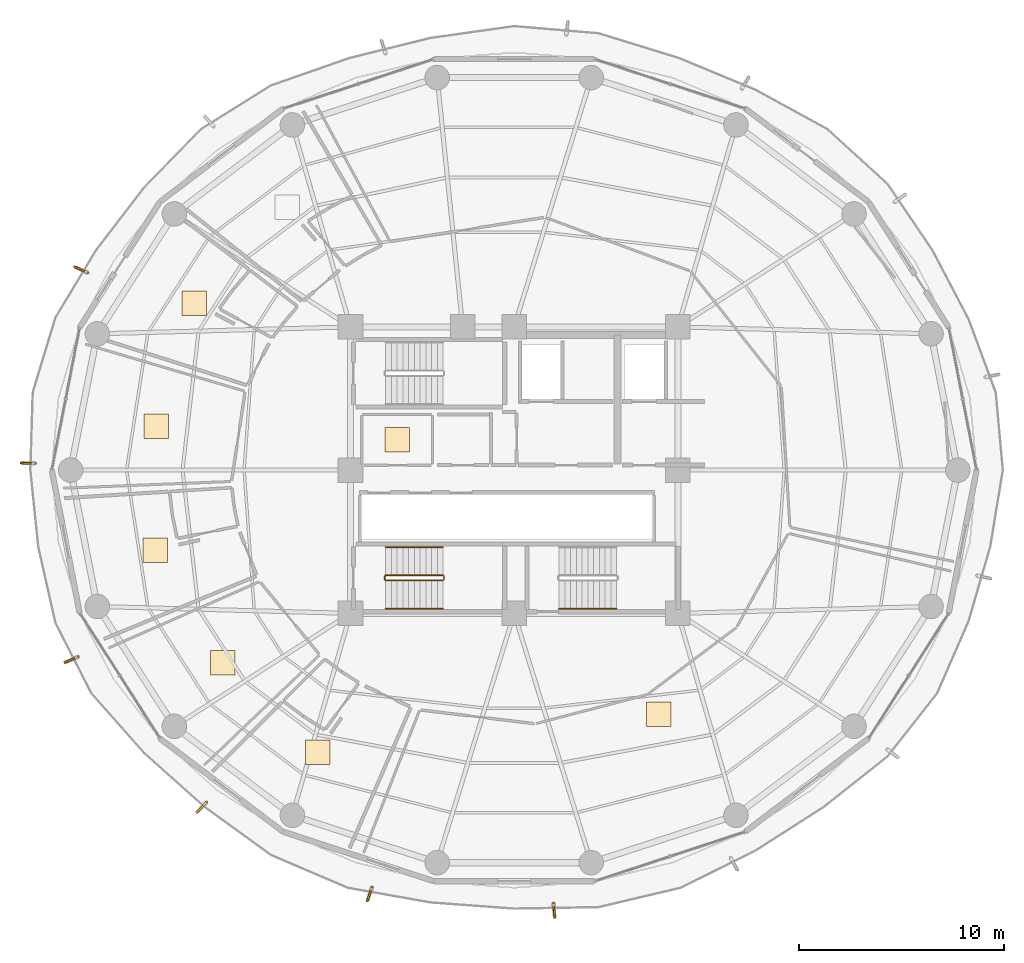
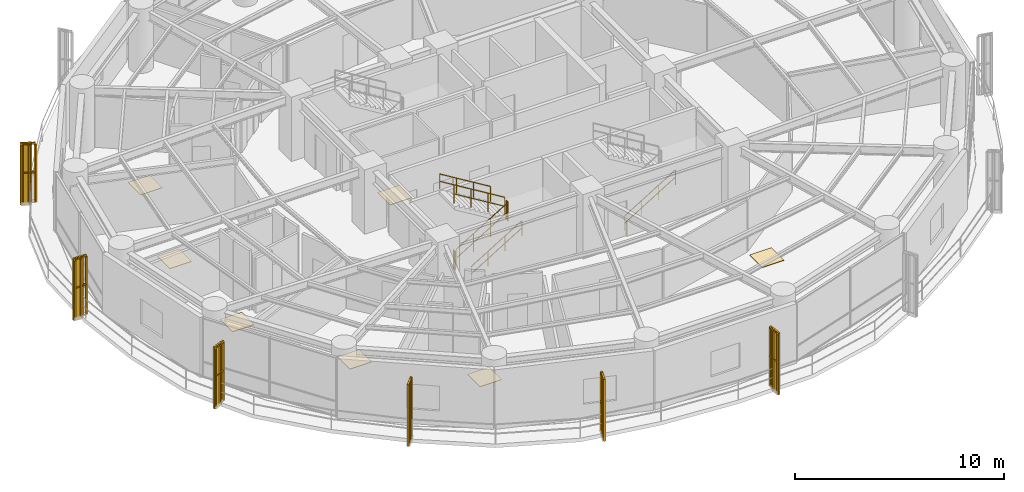
# One storey, part 25 of 27: 13 railings, 7 coverings, 6 shading devices.
"""IFC4 building model written with IfcOpenShell, lengths in metres."""

from ifc_helpers import new_model, si_unit, direction, frame, origin, origin_2d, place, context, subcontext, project, spatial, polyline, rectangle, outline, extrude, source, transform, mapped, material, layer, layer_set, type_object, element, save


model = new_model("IFC4")

# Units and contexts
model_context = context("Model", 3, precision=1e-05, world=origin(), true_north=direction((0.0, 1.0)))
body_context = subcontext(model_context, "Body", "Model", "MODEL_VIEW")
ifc_project = project(units=[si_unit("LENGTHUNIT", "METRE"), si_unit("AREAUNIT", "SQUARE_METRE"), si_unit("VOLUMEUNIT", "CUBIC_METRE"), si_unit("PLANEANGLEUNIT", "RADIAN"), si_unit("MASSUNIT", "GRAM", prefix="KILO")], contexts=[model_context])

# Site, building, storey
site_placement = place(None, origin())
site = spatial("IfcSite", under=ifc_project, at=site_placement, CompositionType="ELEMENT")
building_placement = place(site_placement, origin())
building = spatial("IfcBuilding", under=site, at=building_placement, Name="Kelanora Arch Commons", CompositionType="ELEMENT")
storey_placement = place(building_placement, frame((0.0, 0.0, 146.85009765625)))
storey = spatial("IfcBuildingStorey", under=building, at=storey_placement, Name="L37", CompositionType="ELEMENT", Elevation=146.85009765625)

# Railings
ifc_material_1 = material(Name="Anodised bronze vertical shading fin rib assembly")
railing_type_1 = type_object("IfcRailingType", Name="RAIL-FIN-BRZ", PredefinedType="BALUSTRADE", material=ifc_material_1)
railing_1_placement = place(storey_placement, frame((53.15234375, 67.64453125, -0.02001953125)))
element("IfcRailing", 1, at=railing_1_placement, inside=storey, type_object=railing_type_1, Name="Sweeping Bronze Vertical Fin Blade L37-06", PredefinedType="BALUSTRADE", context=body_context, shape_type="SweptSolid", body=[
    extrude(outline(polyline([(0.06982421875, 0.0), (0.034912109375, 0.060546875), (-0.034912109375, 0.060546875), (-0.06982421875, 0.0), (-0.034912109375, -0.060546875), (0.034912109375, -0.060546875), (0.06982421875, 0.0)])), frame((0.0, 0.0, 3.419921875), z_axis=(-0.907732273324, 0.419549901639, 0.0), x_axis=(-0.419549901639, -0.907732273324, 0.0)), (0.0, 0.0, 1.0), 0.629638671875),
    extrude(outline(polyline([(0.06982421875, 0.0), (0.034912109375, 0.060546875), (-0.034912109375, 0.060546875), (-0.06982421875, 0.0), (-0.034912109375, -0.060546875), (0.034912109375, -0.060546875), (0.06982421875, 0.0)])), frame((0.0, 0.0, 1.7451171875), z_axis=(-0.907732273324, 0.419549901639, 0.0), x_axis=(-0.419549901639, -0.907732273324, 0.0)), (0.0, 0.0, 1.0), 0.629638671875),
    extrude(outline(polyline([(0.080078125, 0.0), (0.0400390625, 0.0693359375), (-0.0400390625, 0.0693359375), (-0.080078125, 0.0), (-0.0400390625, -0.0693359375), (0.0400390625, -0.0693359375), (0.080078125, 0.0)])), origin(), (0.0, 0.0, 1.0), 3.35009765625),
    extrude(outline(polyline([(0.080078125, 0.0), (0.0400390625, 0.0693359375), (-0.0400390625, 0.0693359375), (-0.080078125, 0.0), (-0.0400390625, -0.0693359375), (0.0400390625, -0.0693359375), (0.080078125, 0.0)])), frame((-0.28564453125, 0.132080078125, 0.0)), (0.0, 0.0, 1.0), 3.35009765625),
    extrude(outline(polyline([(0.080078125, 0.0), (0.0400390625, 0.0693359375), (-0.0400390625, 0.0693359375), (-0.080078125, 0.0), (-0.0400390625, -0.0693359375), (0.0400390625, -0.0693359375), (0.080078125, 0.0)])), frame((-0.571533203125, 0.26416015625, 0.0)), (0.0, 0.0, 1.0), 3.35009765625),
])
railing_2_placement = place(storey_placement, frame((50.58349609375, 58.337646484375, -0.02001953125)))
element("IfcRailing", 2, at=railing_2_placement, inside=storey, type_object=railing_type_1, Name="Sweeping Bronze Vertical Fin Blade L37-07", PredefinedType="BALUSTRADE", context=body_context, shape_type="SweptSolid", body=[
    extrude(outline(polyline([(0.06982421875, 0.0), (0.034912109375, 0.060546875), (-0.034912109375, 0.060546875), (-0.06982421875, 0.0), (-0.034912109375, -0.060546875), (0.034912109375, -0.060546875), (0.06982421875, 0.0)])), frame((0.0, 0.0, 3.419921875), z_axis=(-0.999897022928, 0.014350733068, 0.0), x_axis=(-0.014350733068, -0.999897022928, 0.0)), (0.0, 0.0, 1.0), 0.62939453125),
    extrude(outline(polyline([(0.06982421875, 0.0), (0.034912109375, 0.060546875), (-0.034912109375, 0.060546875), (-0.06982421875, 0.0), (-0.034912109375, -0.060546875), (0.034912109375, -0.060546875), (0.06982421875, 0.0)])), frame((0.0, 0.0, 1.7451171875), z_axis=(-0.999897022928, 0.014350733068, 0.0), x_axis=(-0.014350733068, -0.999897022928, 0.0)), (0.0, 0.0, 1.0), 0.62939453125),
    extrude(outline(polyline([(0.080078125, 0.0), (0.0400390625, 0.0693359375), (-0.0400390625, 0.0693359375), (-0.080078125, 0.0), (-0.0400390625, -0.0693359375), (0.0400390625, -0.0693359375), (0.080078125, 0.0)])), origin(), (0.0, 0.0, 1.0), 3.35009765625),
    extrude(outline(polyline([(0.080078125, 0.0), (0.0400390625, 0.0693359375), (-0.0400390625, 0.0693359375), (-0.080078125, 0.0), (-0.0400390625, -0.0693359375), (0.0400390625, -0.0693359375), (0.080078125, 0.0)])), frame((-0.314697265625, 0.00439453125, 0.0)), (0.0, 0.0, 1.0), 3.35009765625),
    extrude(outline(polyline([(0.080078125, 0.0), (0.0400390625, 0.0693359375), (-0.0400390625, 0.0693359375), (-0.080078125, 0.0), (-0.0400390625, -0.0693359375), (0.0400390625, -0.0693359375), (0.080078125, 0.0)])), frame((-0.62939453125, 0.009033203125, 0.0)), (0.0, 0.0, 1.0), 3.35009765625),
])
railing_3_placement = place(storey_placement, frame((52.676025390625, 48.8720703125, -0.02001953125)))
element("IfcRailing", 3, at=railing_3_placement, inside=storey, type_object=railing_type_1, Name="Sweeping Bronze Vertical Fin Blade L37-08", PredefinedType="BALUSTRADE", context=body_context, shape_type="SweptSolid", body=[
    extrude(outline(polyline([(0.06982421875, 0.0), (0.034912109375, 0.060546875), (-0.034912109375, 0.060546875), (-0.06982421875, 0.0), (-0.034912109375, -0.060546875), (0.034912109375, -0.060546875), (0.06982421875, 0.0)])), frame((0.0, 0.0, 3.419921875), z_axis=(-0.919305393356, -0.393544906899, 0.0), x_axis=(0.393544906899, -0.919305393356, 0.0)), (0.0, 0.0, 1.0), 0.629638671875),
    extrude(outline(polyline([(0.06982421875, 0.0), (0.034912109375, 0.060546875), (-0.034912109375, 0.060546875), (-0.06982421875, 0.0), (-0.034912109375, -0.060546875), (0.034912109375, -0.060546875), (0.06982421875, 0.0)])), frame((0.0, 0.0, 1.7451171875), z_axis=(-0.919305393356, -0.393544906899, 0.0), x_axis=(0.393544906899, -0.919305393356, 0.0)), (0.0, 0.0, 1.0), 0.629638671875),
    extrude(outline(polyline([(0.080078125, 0.0), (0.0400390625, 0.0693359375), (-0.0400390625, 0.0693359375), (-0.080078125, 0.0), (-0.0400390625, -0.0693359375), (0.0400390625, -0.0693359375), (0.080078125, 0.0)])), origin(), (0.0, 0.0, 1.0), 3.35009765625),
    extrude(outline(polyline([(0.080078125, 0.0), (0.0400390625, 0.0693359375), (-0.0400390625, 0.0693359375), (-0.080078125, 0.0), (-0.0400390625, -0.0693359375), (0.0400390625, -0.0693359375), (0.080078125, 0.0)])), frame((-0.28955078125, -0.1240234375, 0.0)), (0.0, 0.0, 1.0), 3.35009765625),
    extrude(outline(polyline([(0.080078125, 0.0), (0.0400390625, 0.0693359375), (-0.0400390625, 0.0693359375), (-0.080078125, 0.0), (-0.0400390625, -0.0693359375), (0.0400390625, -0.0693359375), (0.080078125, 0.0)])), frame((-0.578857421875, -0.247802734375, 0.0)), (0.0, 0.0, 1.0), 3.35009765625),
])
railing_4_placement = place(storey_placement, frame((58.95166015625, 41.76416015625, -0.02001953125)))
element("IfcRailing", 4, at=railing_4_placement, inside=storey, type_object=railing_type_1, Name="Sweeping Bronze Vertical Fin Blade L37-09", PredefinedType="BALUSTRADE", context=body_context, shape_type="SweptSolid", body=[
    extrude(outline(polyline([(0.06982421875, 0.0), (0.034912109375, 0.060546875), (-0.034912109375, 0.060546875), (-0.06982421875, 0.0), (-0.034912109375, -0.060546875), (0.034912109375, -0.060546875), (0.06982421875, 0.0)])), frame((0.0, 0.0, 3.419921875), z_axis=(-0.679647662513, -0.73353872075, 0.0), x_axis=(0.73353872075, -0.679647662513, 0.0)), (0.0, 0.0, 1.0), 0.629638671875),
    extrude(outline(polyline([(0.06982421875, 0.0), (0.034912109375, 0.060546875), (-0.034912109375, 0.060546875), (-0.06982421875, 0.0), (-0.034912109375, -0.060546875), (0.034912109375, -0.060546875), (0.06982421875, 0.0)])), frame((0.0, 0.0, 1.7451171875), z_axis=(-0.679647662513, -0.73353872075, 0.0), x_axis=(0.73353872075, -0.679647662513, 0.0)), (0.0, 0.0, 1.0), 0.629638671875),
    extrude(outline(polyline([(0.080078125, 0.0), (0.0400390625, 0.0693359375), (-0.0400390625, 0.0693359375), (-0.080078125, 0.0), (-0.0400390625, -0.0693359375), (0.0400390625, -0.0693359375), (0.080078125, 0.0)])), origin(), (0.0, 0.0, 1.0), 3.35009765625),
    extrude(outline(polyline([(0.080078125, 0.0), (0.0400390625, 0.0693359375), (-0.0400390625, 0.0693359375), (-0.080078125, 0.0), (-0.0400390625, -0.0693359375), (0.0400390625, -0.0693359375), (0.080078125, 0.0)])), frame((-0.2138671875, -0.23095703125, 0.0)), (0.0, 0.0, 1.0), 3.35009765625),
    extrude(outline(polyline([(0.080078125, 0.0), (0.0400390625, 0.0693359375), (-0.0400390625, 0.0693359375), (-0.080078125, 0.0), (-0.0400390625, -0.0693359375), (0.0400390625, -0.0693359375), (0.080078125, 0.0)])), frame((-0.427978515625, -0.4619140625, 0.0)), (0.0, 0.0, 1.0), 3.35009765625),
])
railing_5_placement = place(storey_placement, frame((67.046875, 37.60546875, -0.02001953125)))
element("IfcRailing", 5, at=railing_5_placement, inside=storey, type_object=railing_type_1, Name="Sweeping Bronze Vertical Fin Blade L37-10", PredefinedType="BALUSTRADE", context=body_context, shape_type="SweptSolid", body=[
    extrude(outline(polyline([(0.06982421875, 0.0), (0.034912109375, 0.060546875), (-0.034912109375, 0.060546875), (-0.06982421875, 0.0), (-0.034912109375, -0.060546875), (0.034912109375, -0.060546875), (0.06982421875, 0.0)])), frame((0.0, 0.0, 3.419921875), z_axis=(-0.322965998891, -0.946410568179, 0.0), x_axis=(0.946410568179, -0.322965998891, 0.0)), (0.0, 0.0, 1.0), 0.629638671875),
    extrude(outline(polyline([(0.06982421875, 0.0), (0.034912109375, 0.060546875), (-0.034912109375, 0.060546875), (-0.06982421875, 0.0), (-0.034912109375, -0.060546875), (0.034912109375, -0.060546875), (0.06982421875, 0.0)])), frame((0.0, 0.0, 1.7451171875), z_axis=(-0.322965998891, -0.946410568179, 0.0), x_axis=(0.946410568179, -0.322965998891, 0.0)), (0.0, 0.0, 1.0), 0.629638671875),
    extrude(outline(polyline([(0.080078125, 0.0), (0.0400390625, 0.0693359375), (-0.0400390625, 0.0693359375), (-0.080078125, 0.0), (-0.0400390625, -0.0693359375), (0.0400390625, -0.0693359375), (0.080078125, 0.0)])), origin(), (0.0, 0.0, 1.0), 3.35009765625),
    extrude(outline(polyline([(0.080078125, 0.0), (0.0400390625, 0.0693359375), (-0.0400390625, 0.0693359375), (-0.080078125, 0.0), (-0.0400390625, -0.0693359375), (0.0400390625, -0.0693359375), (0.080078125, 0.0)])), frame((-0.1015625, -0.2978515625, 0.0)), (0.0, 0.0, 1.0), 3.35009765625),
    extrude(outline(polyline([(0.080078125, 0.0), (0.0400390625, 0.0693359375), (-0.0400390625, 0.0693359375), (-0.080078125, 0.0), (-0.0400390625, -0.0693359375), (0.0400390625, -0.0693359375), (0.080078125, 0.0)])), frame((-0.203369140625, -0.595947265625, 0.0)), (0.0, 0.0, 1.0), 3.35009765625),
])
railing_6_placement = place(storey_placement, frame((75.9169921875, 36.82861328125, -0.02001953125)))
element("IfcRailing", 6, at=railing_6_placement, inside=storey, type_object=railing_type_1, Name="Sweeping Bronze Vertical Fin Blade L37-11", PredefinedType="BALUSTRADE", context=body_context, shape_type="SweptSolid", body=[
    extrude(outline(polyline([(0.06982421875, 0.0), (0.034912109375, 0.060546875), (-0.034912109375, 0.060546875), (-0.06982421875, 0.0), (-0.034912109375, -0.060546875), (0.034912109375, -0.060546875), (0.06982421875, 0.0)])), frame((0.0, 0.0, 3.419921875), z_axis=(0.090326023443, -0.995912249894, 0.0), x_axis=(0.995912249894, 0.090326023443, 0.0)), (0.0, 0.0, 1.0), 0.6298828125),
    extrude(outline(polyline([(0.06982421875, 0.0), (0.034912109375, 0.060546875), (-0.034912109375, 0.060546875), (-0.06982421875, 0.0), (-0.034912109375, -0.060546875), (0.034912109375, -0.060546875), (0.06982421875, 0.0)])), frame((0.0, 0.0, 1.7451171875), z_axis=(0.090326023443, -0.995912249894, 0.0), x_axis=(0.995912249894, 0.090326023443, 0.0)), (0.0, 0.0, 1.0), 0.6298828125),
    extrude(outline(polyline([(0.080078125, 0.0), (0.0400390625, 0.0693359375), (-0.0400390625, 0.0693359375), (-0.080078125, 0.0), (-0.0400390625, -0.0693359375), (0.0400390625, -0.0693359375), (0.080078125, 0.0)])), origin(), (0.0, 0.0, 1.0), 3.35009765625),
    extrude(outline(polyline([(0.080078125, 0.0), (0.0400390625, 0.0693359375), (-0.0400390625, 0.0693359375), (-0.080078125, 0.0), (-0.0400390625, -0.0693359375), (0.0400390625, -0.0693359375), (0.080078125, 0.0)])), frame((0.0283203125, -0.3134765625, 0.0)), (0.0, 0.0, 1.0), 3.35009765625),
    extrude(outline(polyline([(0.080078125, 0.0), (0.0400390625, 0.0693359375), (-0.0400390625, 0.0693359375), (-0.080078125, 0.0), (-0.0400390625, -0.0693359375), (0.0400390625, -0.0693359375), (0.080078125, 0.0)])), frame((0.056884765625, -0.627197265625, 0.0)), (0.0, 0.0, 1.0), 3.35009765625),
])
ifc_material_2 = material(Name="Painted steel stair well guard", Category="steel")
railing_type_2 = type_object("IfcRailingType", Name="RAIL-STAIR-GRD", PredefinedType="GUARDRAIL", material=ifc_material_2)
railing_7_placement = place(storey_placement, frame((67.719970703125, 52.610107421875, 0.17041015625)))
element("IfcRailing", 7, at=railing_7_placement, inside=storey, type_object=railing_type_2, Name="L37 ST-T3 stair guard 1", PredefinedType="GUARDRAIL", context=body_context, shape_type="SweptSolid", body=[
    extrude(outline(polyline([(0.02392578125, 0.0), (0.011962890625, 0.020751953125), (-0.011962890625, 0.020751953125), (-0.02392578125, 0.0), (-0.011962890625, -0.020751953125), (0.011962890625, -0.020751953125), (0.02392578125, 0.0)])), frame((0.0, 0.0, 1.076171875), z_axis=(0.854169791009, 0.0, 0.51999420009), x_axis=(0.0, 1.0, 0.0)), (0.0, 0.0, 1.0), 3.278076171875),
    extrude(outline(polyline([(0.02392578125, 0.0), (0.011962890625, 0.020751953125), (-0.011962890625, 0.020751953125), (-0.02392578125, 0.0), (-0.011962890625, -0.020751953125), (0.011962890625, -0.020751953125), (0.02392578125, 0.0)])), frame((0.0, 0.0, 0.550048828125), z_axis=(0.854169791009, 0.0, 0.51999420009), x_axis=(0.0, 1.0, 0.0)), (0.0, 0.0, 1.0), 3.278076171875),
    extrude(outline(polyline([(0.02099609375, 0.0), (0.010498046875, 0.01806640625), (-0.010498046875, 0.01806640625), (-0.02099609375, 0.0), (-0.010498046875, -0.01806640625), (0.010498046875, -0.01806640625), (0.02099609375, 0.0)])), origin(), (0.0, 0.0, 1.0), 1.052001953125),
    extrude(outline(polyline([(0.02099609375, 0.0), (0.010498046875, 0.01806640625), (-0.010498046875, 0.01806640625), (-0.02099609375, 0.0), (-0.010498046875, -0.01806640625), (0.010498046875, -0.01806640625), (0.02099609375, 0.0)])), frame((0.933349609375, 0.0, 0.568115234375)), (0.0, 0.0, 1.0), 1.052001953125),
    extrude(outline(polyline([(0.02099609375, 0.0), (0.010498046875, 0.01806640625), (-0.010498046875, 0.01806640625), (-0.02099609375, 0.0), (-0.010498046875, -0.01806640625), (0.010498046875, -0.01806640625), (0.02099609375, 0.0)])), frame((1.86669921875, 0.0, 1.136474609375)), (0.0, 0.0, 1.0), 1.052001953125),
    extrude(outline(polyline([(0.02099609375, 0.0), (0.010498046875, 0.01806640625), (-0.010498046875, 0.01806640625), (-0.02099609375, 0.0), (-0.010498046875, -0.01806640625), (0.010498046875, -0.01806640625), (0.02099609375, 0.0)])), frame((2.800048828125, 0.0, 1.70458984375)), (0.0, 0.0, 1.0), 1.052001953125),
])
railing_8_placement = place(storey_placement, frame((70.570068359375, 52.659912109375, 1.875)))
element("IfcRailing", 8, at=railing_8_placement, inside=storey, type_object=railing_type_2, Name="L37 ST-T3 stair guard 2", PredefinedType="GUARDRAIL", context=body_context, shape_type="SweptSolid", body=[
    extrude(outline(polyline([(0.02392578125, 0.0), (0.011962890625, 0.020751953125), (-0.011962890625, 0.020751953125), (-0.02392578125, 0.0), (-0.011962890625, -0.020751953125), (0.011962890625, -0.020751953125), (0.02392578125, 0.0)])), frame((0.0, 0.0, 1.076171875), z_axis=(0.0, 1.0, 0.0), x_axis=(-1.0, 0.0, 0.0)), (0.0, 0.0, 1.0), 0.150146484375),
    extrude(outline(polyline([(0.02392578125, 0.0), (0.011962890625, 0.020751953125), (-0.011962890625, 0.020751953125), (-0.02392578125, 0.0), (-0.011962890625, -0.020751953125), (0.011962890625, -0.020751953125), (0.02392578125, 0.0)])), frame((0.0, 0.0, 0.550048828125), z_axis=(0.0, 1.0, 0.0), x_axis=(-1.0, 0.0, 0.0)), (0.0, 0.0, 1.0), 0.150146484375),
    extrude(outline(polyline([(0.02099609375, 0.0), (0.010498046875, 0.01806640625), (-0.010498046875, 0.01806640625), (-0.02099609375, 0.0), (-0.010498046875, -0.01806640625), (0.010498046875, -0.01806640625), (0.02099609375, 0.0)])), origin(), (0.0, 0.0, 1.0), 1.052001953125),
    extrude(outline(polyline([(0.02099609375, 0.0), (0.010498046875, 0.01806640625), (-0.010498046875, 0.01806640625), (-0.02099609375, 0.0), (-0.010498046875, -0.01806640625), (0.010498046875, -0.01806640625), (0.02099609375, 0.0)])), frame((0.0, 0.150146484375, 0.0)), (0.0, 0.0, 1.0), 1.052001953125),
])
railing_9_placement = place(storey_placement, frame((70.52001953125, 52.860107421875, 2.04541015625)))
element("IfcRailing", 9, at=railing_9_placement, inside=storey, type_object=railing_type_2, Name="L37 ST-T3 stair guard 3", PredefinedType="GUARDRAIL", context=body_context, shape_type="SweptSolid", body=[
    extrude(outline(polyline([(0.02392578125, 0.0), (0.011962890625, 0.020751953125), (-0.011962890625, 0.020751953125), (-0.02392578125, 0.0), (-0.011962890625, -0.020751953125), (0.011962890625, -0.020751953125), (0.02392578125, 0.0)])), frame((0.0, 0.0, 1.076171875), z_axis=(-0.854169791009, 0.0, 0.51999420009), x_axis=(0.0, -1.0, 0.0)), (0.0, 0.0, 1.0), 3.278076171875),
    extrude(outline(polyline([(0.02392578125, 0.0), (0.011962890625, 0.020751953125), (-0.011962890625, 0.020751953125), (-0.02392578125, 0.0), (-0.011962890625, -0.020751953125), (0.011962890625, -0.020751953125), (0.02392578125, 0.0)])), frame((0.0, 0.0, 0.550048828125), z_axis=(-0.854169791009, 0.0, 0.51999420009), x_axis=(0.0, -1.0, 0.0)), (0.0, 0.0, 1.0), 3.278076171875),
    extrude(outline(polyline([(0.02099609375, 0.0), (0.010498046875, 0.01806640625), (-0.010498046875, 0.01806640625), (-0.02099609375, 0.0), (-0.010498046875, -0.01806640625), (0.010498046875, -0.01806640625), (0.02099609375, 0.0)])), origin(), (0.0, 0.0, 1.0), 1.052001953125),
    extrude(outline(polyline([(0.02099609375, 0.0), (0.010498046875, 0.01806640625), (-0.010498046875, 0.01806640625), (-0.02099609375, 0.0), (-0.010498046875, -0.01806640625), (0.010498046875, -0.01806640625), (0.02099609375, 0.0)])), frame((-0.933349609375, 0.0, 0.568115234375)), (0.0, 0.0, 1.0), 1.052001953125),
    extrude(outline(polyline([(0.02099609375, 0.0), (0.010498046875, 0.01806640625), (-0.010498046875, 0.01806640625), (-0.02099609375, 0.0), (-0.010498046875, -0.01806640625), (0.010498046875, -0.01806640625), (0.02099609375, 0.0)])), frame((-1.86669921875, 0.0, 1.136474609375)), (0.0, 0.0, 1.0), 1.052001953125),
    extrude(outline(polyline([(0.02099609375, 0.0), (0.010498046875, 0.01806640625), (-0.010498046875, 0.01806640625), (-0.02099609375, 0.0), (-0.010498046875, -0.01806640625), (0.010498046875, -0.01806640625), (0.02099609375, 0.0)])), frame((-2.800048828125, 0.0, 1.70458984375)), (0.0, 0.0, 1.0), 1.052001953125),
])
railing_10_placement = place(storey_placement, frame((67.669921875, 52.659912109375, 0.0)))
element("IfcRailing", 10, at=railing_10_placement, inside=storey, type_object=railing_type_2, Name="L37 ST-T3 stair guard 4", PredefinedType="GUARDRAIL", context=body_context, shape_type="SweptSolid", body=[
    extrude(outline(polyline([(0.02392578125, 0.0), (0.011962890625, 0.020751953125), (-0.011962890625, 0.020751953125), (-0.02392578125, 0.0), (-0.011962890625, -0.020751953125), (0.011962890625, -0.020751953125), (0.02392578125, 0.0)])), frame((0.0, 0.0, 1.076171875), z_axis=(0.0, 1.0, 0.0), x_axis=(-1.0, 0.0, 0.0)), (0.0, 0.0, 1.0), 0.150146484375),
    extrude(outline(polyline([(0.02392578125, 0.0), (0.011962890625, 0.020751953125), (-0.011962890625, 0.020751953125), (-0.02392578125, 0.0), (-0.011962890625, -0.020751953125), (0.011962890625, -0.020751953125), (0.02392578125, 0.0)])), frame((0.0, 0.0, 0.550048828125), z_axis=(0.0, 1.0, 0.0), x_axis=(-1.0, 0.0, 0.0)), (0.0, 0.0, 1.0), 0.150146484375),
    extrude(outline(polyline([(0.02099609375, 0.0), (0.010498046875, 0.01806640625), (-0.010498046875, 0.01806640625), (-0.02099609375, 0.0), (-0.010498046875, -0.01806640625), (0.010498046875, -0.01806640625), (0.02099609375, 0.0)])), origin(), (0.0, 0.0, 1.0), 1.052001953125),
    extrude(outline(polyline([(0.02099609375, 0.0), (0.010498046875, 0.01806640625), (-0.010498046875, 0.01806640625), (-0.02099609375, 0.0), (-0.010498046875, -0.01806640625), (0.010498046875, -0.01806640625), (0.02099609375, 0.0)])), frame((0.0, 0.150146484375, 0.0)), (0.0, 0.0, 1.0), 1.052001953125),
])
ifc_material_3 = material(Name="Brushed stainless steel stair handrail", Category="steel")
railing_type_3 = type_object("IfcRailingType", Name="RAIL-STAIR-HND", PredefinedType="HANDRAIL", material=ifc_material_3)
railing_11_placement = place(storey_placement, frame((76.199951171875, 51.22998046875, 0.17041015625)))
element("IfcRailing", 11, at=railing_11_placement, inside=storey, type_object=railing_type_3, Name="L37 ST-T2 stair handrail 1", PredefinedType="HANDRAIL", context=body_context, shape_type="SweptSolid", body=[
    extrude(outline(polyline([(0.02392578125, 0.0), (0.011962890625, 0.020751953125), (-0.011962890625, 0.020751953125), (-0.02392578125, 0.0), (-0.011962890625, -0.020751953125), (0.011962890625, -0.020751953125), (0.02392578125, 0.0)])), frame((0.0, 0.0, 0.8759765625), z_axis=(0.854169791009, 0.0, 0.51999420009), x_axis=(0.0, 1.0, 0.0)), (0.0, 0.0, 1.0), 3.278076171875),
    extrude(outline(polyline([(0.02392578125, 0.0), (0.011962890625, 0.020751953125), (-0.011962890625, 0.020751953125), (-0.02392578125, 0.0), (-0.011962890625, -0.020751953125), (0.011962890625, -0.020751953125), (0.02392578125, 0.0)])), frame((0.0, 0.0, 0.449951171875), z_axis=(0.854169791009, 0.0, 0.51999420009), x_axis=(0.0, 1.0, 0.0)), (0.0, 0.0, 1.0), 3.278076171875),
    extrude(outline(polyline([(0.02099609375, 0.0), (0.010498046875, 0.01806640625), (-0.010498046875, 0.01806640625), (-0.02099609375, 0.0), (-0.010498046875, -0.01806640625), (0.010498046875, -0.01806640625), (0.02099609375, 0.0)])), origin(), (0.0, 0.0, 1.0), 0.851806640625),
    extrude(outline(polyline([(0.02099609375, 0.0), (0.010498046875, 0.01806640625), (-0.010498046875, 0.01806640625), (-0.02099609375, 0.0), (-0.010498046875, -0.01806640625), (0.010498046875, -0.01806640625), (0.02099609375, 0.0)])), frame((0.933349609375, 0.0, 0.568115234375)), (0.0, 0.0, 1.0), 0.851806640625),
    extrude(outline(polyline([(0.02099609375, 0.0), (0.010498046875, 0.01806640625), (-0.010498046875, 0.01806640625), (-0.02099609375, 0.0), (-0.010498046875, -0.01806640625), (0.010498046875, -0.01806640625), (0.02099609375, 0.0)])), frame((1.86669921875, 0.0, 1.136474609375)), (0.0, 0.0, 1.0), 0.851806640625),
    extrude(outline(polyline([(0.02099609375, 0.0), (0.010498046875, 0.01806640625), (-0.010498046875, 0.01806640625), (-0.02099609375, 0.0), (-0.010498046875, -0.01806640625), (0.010498046875, -0.01806640625), (0.02099609375, 0.0)])), frame((2.800048828125, 0.0, 1.70458984375)), (0.0, 0.0, 1.0), 0.851806640625),
])
railing_12_placement = place(storey_placement, frame((67.719970703125, 51.22998046875, 0.17041015625)))
element("IfcRailing", 12, at=railing_12_placement, inside=storey, type_object=railing_type_3, Name="L37 ST-T3 stair handrail 1", PredefinedType="HANDRAIL", context=body_context, shape_type="SweptSolid", body=[
    extrude(outline(polyline([(0.02392578125, 0.0), (0.011962890625, 0.020751953125), (-0.011962890625, 0.020751953125), (-0.02392578125, 0.0), (-0.011962890625, -0.020751953125), (0.011962890625, -0.020751953125), (0.02392578125, 0.0)])), frame((0.0, 0.0, 0.8759765625), z_axis=(0.854169791009, 0.0, 0.51999420009), x_axis=(0.0, 1.0, 0.0)), (0.0, 0.0, 1.0), 3.278076171875),
    extrude(outline(polyline([(0.02392578125, 0.0), (0.011962890625, 0.020751953125), (-0.011962890625, 0.020751953125), (-0.02392578125, 0.0), (-0.011962890625, -0.020751953125), (0.011962890625, -0.020751953125), (0.02392578125, 0.0)])), frame((0.0, 0.0, 0.449951171875), z_axis=(0.854169791009, 0.0, 0.51999420009), x_axis=(0.0, 1.0, 0.0)), (0.0, 0.0, 1.0), 3.278076171875),
    extrude(outline(polyline([(0.02099609375, 0.0), (0.010498046875, 0.01806640625), (-0.010498046875, 0.01806640625), (-0.02099609375, 0.0), (-0.010498046875, -0.01806640625), (0.010498046875, -0.01806640625), (0.02099609375, 0.0)])), origin(), (0.0, 0.0, 1.0), 0.851806640625),
    extrude(outline(polyline([(0.02099609375, 0.0), (0.010498046875, 0.01806640625), (-0.010498046875, 0.01806640625), (-0.02099609375, 0.0), (-0.010498046875, -0.01806640625), (0.010498046875, -0.01806640625), (0.02099609375, 0.0)])), frame((0.933349609375, 0.0, 0.568115234375)), (0.0, 0.0, 1.0), 0.851806640625),
    extrude(outline(polyline([(0.02099609375, 0.0), (0.010498046875, 0.01806640625), (-0.010498046875, 0.01806640625), (-0.02099609375, 0.0), (-0.010498046875, -0.01806640625), (0.010498046875, -0.01806640625), (0.02099609375, 0.0)])), frame((1.86669921875, 0.0, 1.136474609375)), (0.0, 0.0, 1.0), 0.851806640625),
    extrude(outline(polyline([(0.02099609375, 0.0), (0.010498046875, 0.01806640625), (-0.010498046875, 0.01806640625), (-0.02099609375, 0.0), (-0.010498046875, -0.01806640625), (0.010498046875, -0.01806640625), (0.02099609375, 0.0)])), frame((2.800048828125, 0.0, 1.70458984375)), (0.0, 0.0, 1.0), 0.851806640625),
])
railing_13_placement = place(storey_placement, frame((70.52001953125, 54.239990234375, 2.04541015625)))
element("IfcRailing", 13, at=railing_13_placement, inside=storey, type_object=railing_type_3, Name="L37 ST-T3 stair handrail 2", PredefinedType="HANDRAIL", context=body_context, shape_type="SweptSolid", body=[
    extrude(outline(polyline([(0.02392578125, 0.0), (0.011962890625, 0.020751953125), (-0.011962890625, 0.020751953125), (-0.02392578125, 0.0), (-0.011962890625, -0.020751953125), (0.011962890625, -0.020751953125), (0.02392578125, 0.0)])), frame((0.0, 0.0, 0.8759765625), z_axis=(-0.854169791009, 0.0, 0.51999420009), x_axis=(0.0, -1.0, 0.0)), (0.0, 0.0, 1.0), 3.278076171875),
    extrude(outline(polyline([(0.02392578125, 0.0), (0.011962890625, 0.020751953125), (-0.011962890625, 0.020751953125), (-0.02392578125, 0.0), (-0.011962890625, -0.020751953125), (0.011962890625, -0.020751953125), (0.02392578125, 0.0)])), frame((0.0, 0.0, 0.449951171875), z_axis=(-0.854169791009, 0.0, 0.51999420009), x_axis=(0.0, -1.0, 0.0)), (0.0, 0.0, 1.0), 3.278076171875),
    extrude(outline(polyline([(0.02099609375, 0.0), (0.010498046875, 0.01806640625), (-0.010498046875, 0.01806640625), (-0.02099609375, 0.0), (-0.010498046875, -0.01806640625), (0.010498046875, -0.01806640625), (0.02099609375, 0.0)])), origin(), (0.0, 0.0, 1.0), 0.851806640625),
    extrude(outline(polyline([(0.02099609375, 0.0), (0.010498046875, 0.01806640625), (-0.010498046875, 0.01806640625), (-0.02099609375, 0.0), (-0.010498046875, -0.01806640625), (0.010498046875, -0.01806640625), (0.02099609375, 0.0)])), frame((-0.933349609375, 0.0, 0.568115234375)), (0.0, 0.0, 1.0), 0.851806640625),
    extrude(outline(polyline([(0.02099609375, 0.0), (0.010498046875, 0.01806640625), (-0.010498046875, 0.01806640625), (-0.02099609375, 0.0), (-0.010498046875, -0.01806640625), (0.010498046875, -0.01806640625), (0.02099609375, 0.0)])), frame((-1.86669921875, 0.0, 1.136474609375)), (0.0, 0.0, 1.0), 0.851806640625),
    extrude(outline(polyline([(0.02099609375, 0.0), (0.010498046875, 0.01806640625), (-0.010498046875, 0.01806640625), (-0.02099609375, 0.0), (-0.010498046875, -0.01806640625), (0.010498046875, -0.01806640625), (0.02099609375, 0.0)])), frame((-2.800048828125, 0.0, 1.70458984375)), (0.0, 0.0, 1.0), 0.851806640625),
])

# Shading devices
ifc_material_4 = material(Name="Terracotta ceramic-clad extruded aluminium fin", Category="masonry")
shading_device_type = type_object("IfcShadingDeviceType", Name="SHD-FIN-WAIST", PredefinedType="USERDEFINED", material=ifc_material_4)
shared_shape_1 = source(origin(), body_context, "Body", "SweptSolid", [
    extrude(rectangle(XDim=0.56005859375, YDim=0.090087890625, at=origin_2d()), origin(), (0.0, 0.0, 1.0), 3.610107421875),
])
for number, where, z_axis, x_axis, name in (
    (14, (52.739501953125, 67.83544921875, -0.14013671875), (0.0, 0.0, 1.0), (-0.90755772951, 0.419927336103, 0.0), "Sweeping Terracotta Fin L37-06"),
    (15, (50.128662109375, 58.34423828125, -0.14013671875), (0.0, 0.0, 1.0), (-0.999895076365, 0.014485726139, 0.0), "Sweeping Terracotta Fin L37-07"),
    (16, (52.2578125, 48.693115234375, -0.14013671875), (0.0, 0.0, 1.0), (-0.919341480754, -0.393460597474, 0.0), "Sweeping Terracotta Fin L37-08"),
    (17, (58.642578125, 41.430419921875, -0.14013671875), (0.0, 0.0, 1.0), (-0.679825391166, -0.733374009306, 0.0), "Sweeping Terracotta Fin L37-09"),
    (18, (66.89990234375, 37.175048828125, -0.14013671875), (0.0, 0.0, 1.0), (-0.322761315426, -0.946480392435, 0.0), "Sweeping Terracotta Fin L37-10"),
    (19, (75.9580078125, 36.37548828125, -0.14013671875), (0.0, 0.0, 1.0), (0.090111123946, -0.995931717208, 0.0), "Sweeping Terracotta Fin L37-11"),
):
    element("IfcShadingDevice", number, at=place(storey_placement, frame(where, z_axis=z_axis, x_axis=x_axis)), inside=storey, type_object=shading_device_type, Name=name, ObjectType="FIN", PredefinedType="USERDEFINED", context=body_context, shape_type="MappedRepresentation", body=[
        mapped(shared_shape_1, transform((0.0, 0.0, 0.0), scale=1.0)),
    ])

# Coverings
ifc_material_5 = material(Name="Polished local granite terrazzo flooring", Category="masonry")
ifc_layer = layer(ifc_material_5, 0.030029296875)
ifc_layer_set = layer_set([ifc_layer], Name="Polished local granite terrazzo flooring")
covering_type = type_object("IfcCoveringType", Name="COV-FLR-TER", PredefinedType="FLOORING", material=ifc_layer_set)
shared_shape_2 = source(origin(), body_context, "Body", "SweptSolid", [
    extrude(rectangle(XDim=1.199951171875, YDim=1.199951171875, at=origin_2d()), origin(), (0.0, 0.0, 1.0), 0.030029296875),
])
for number, where, z_axis, x_axis, name in (
    (20, (68.27490234375, 59.485107421875, 0.0), (0.0, 0.0, 1.0), (1.0, 0.0, 0.0), "Reclaimed Core Quiet Phone Booths L37 Terrazzo Finish"),
    (21, (81.058837890625, 46.080322265625, 0.0), (0.0, 0.0, 1.0), (1.0, 0.0, 0.0), "South-East Shared Study Commons L37 Terrazzo Finish"),
    (22, (58.36328125, 66.162353515625, 0.0), (0.0, 0.0, 1.0), (1.0, 0.0, 0.0), "Co-Living Studio L37-02 Terrazzo Finish"),
    (23, (56.49658203125, 60.145751953125, 0.0), (0.0, 0.0, 1.0), (1.0, 0.0, 0.0), "Communal Dining and Social Hall L37-03 Terrazzo Finish"),
    (24, (56.453125, 54.089111328125, 0.0), (0.0, 0.0, 1.0), (1.0, 0.0, 0.0), "Co-Living Studio L37-04 Terrazzo Finish"),
    (25, (59.758544921875, 48.59619140625, 0.0), (0.0, 0.0, 1.0), (1.0, 0.0, 0.0), "Social Sky Lounge L37-05 Terrazzo Finish"),
    (26, (64.406494140625, 44.2138671875, 0.0), (0.0, 0.0, 1.0), (1.0, 0.0, 0.0), "Co-Living Studio L37-06 Terrazzo Finish"),
):
    element("IfcCovering", number, at=place(storey_placement, frame(where, z_axis=z_axis, x_axis=x_axis)), inside=storey, type_object=covering_type, Name=name, PredefinedType="FLOORING", context=body_context, shape_type="MappedRepresentation", body=[
        mapped(shared_shape_2, transform((0.0, 0.0, 0.0), scale=1.0)),
    ])

save(model, "model.ifc")
